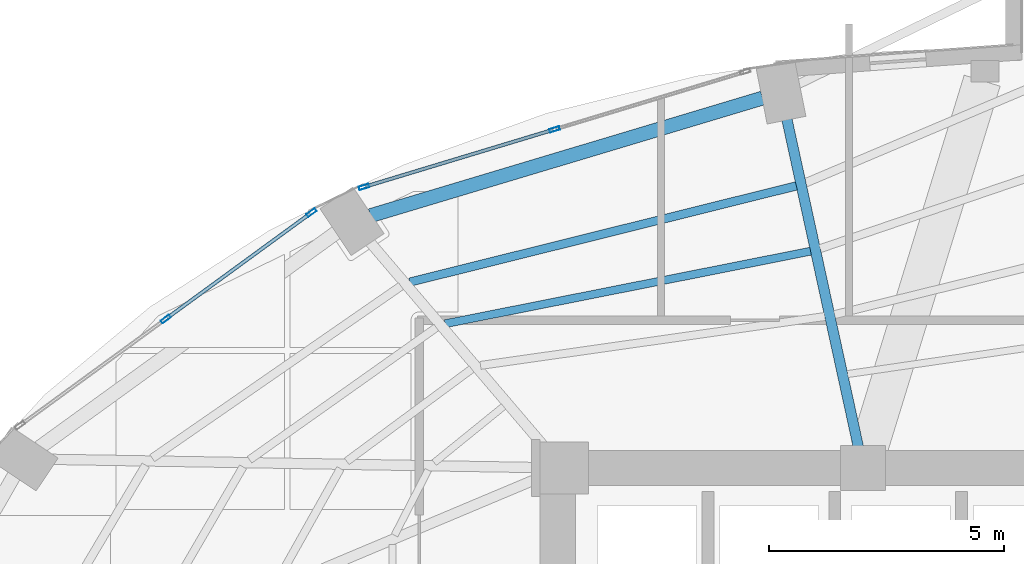
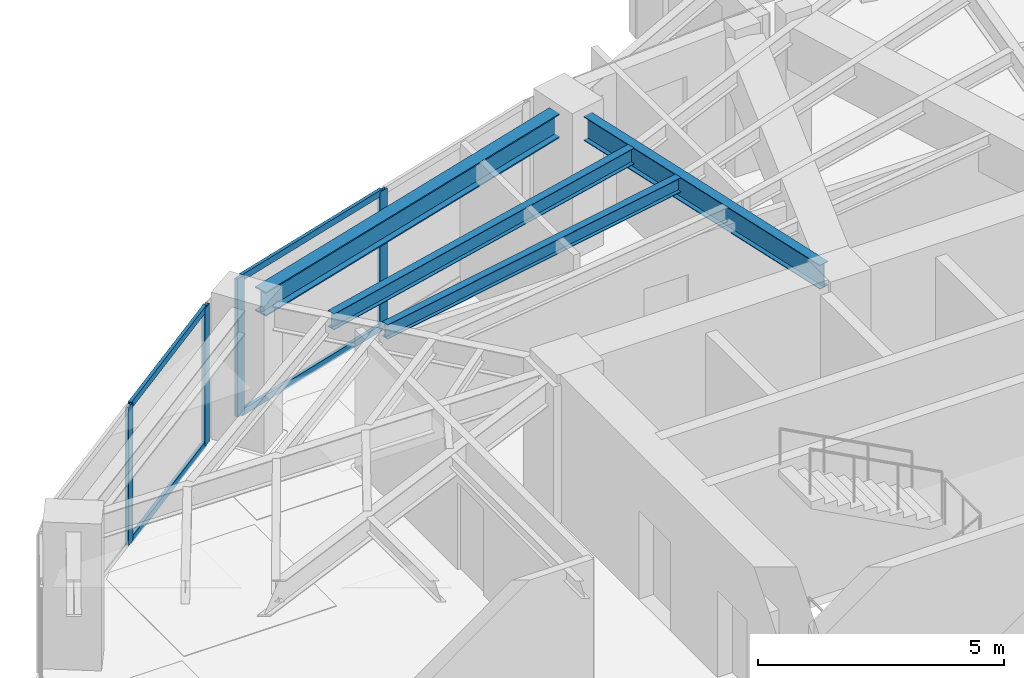
# One storey, part 14 of 23: 8 members, 4 beams, 2 elements without a shape of their own.
"""IFC4 building model written with IfcOpenShell, lengths in metres."""

from ifc_helpers import new_model, si_unit, direction, frame, origin, origin_2d, place, context, subcontext, project, spatial, hollow_rectangle, i_section, extrude, material, layer, layer_set, material_profile, profile_set, type_object, element, aggregate, save


model = new_model("IFC4")

# Units and contexts
model_context = context("Model", 3, precision=1e-05, world=origin(), true_north=direction((0.0, 1.0)))
body_context = subcontext(model_context, "Body", "Model", "MODEL_VIEW")
ifc_project = project(units=[si_unit("LENGTHUNIT", "METRE"), si_unit("AREAUNIT", "SQUARE_METRE"), si_unit("VOLUMEUNIT", "CUBIC_METRE"), si_unit("PLANEANGLEUNIT", "RADIAN"), si_unit("MASSUNIT", "GRAM", prefix="KILO")], contexts=[model_context])

# Site, building, storey
site_placement = place(None, origin())
site = spatial("IfcSite", under=ifc_project, at=site_placement, CompositionType="ELEMENT")
building_placement = place(site_placement, origin())
building = spatial("IfcBuilding", under=site, at=building_placement, Name="Lazwardi Medical Tower", CompositionType="ELEMENT")
storey_placement = place(building_placement, frame((0.0, 0.0, 121.8720703125)))
storey = spatial("IfcBuildingStorey", under=building, at=storey_placement, Name="L31", CompositionType="ELEMENT", Elevation=121.8720703125)

# Beams
ifc_material_1 = material(Name="Steel S355", Category="steel")
ifc_material_profile_1 = material_profile(ifc_material_1, i_section(OverallWidth=0.300048828125, OverallDepth=0.60009765625, WebThickness=0.015380859375, FlangeThickness=0.030029296875, at=origin_2d()), Name="HEB 600")
ifc_profile_set_1 = profile_set([ifc_material_profile_1], Name="Steel S355")
beam_type_1 = type_object("IfcBeamType", Name="BM-RB-Z2", PredefinedType="BEAM", material=ifc_profile_set_1)
beam_1_placement = place(storey_placement, frame((30.661865234375, 43.4794921875, 3.1279296875), z_axis=(-0.957879438442, -0.287170648587, 0.0), x_axis=(0.287170648587, -0.957879438442, 0.0)))
element("IfcBeam", 1, at=beam_1_placement, inside=storey, type_object=beam_type_1, Name="Ring beam RB-03 B09 L31", PredefinedType="BEAM", context=body_context, shape_type="SweptSolid", body=[
    extrude(i_section(OverallWidth=0.300048828125, OverallDepth=0.60009765625, WebThickness=0.015380859375, FlangeThickness=0.030029296875, at=origin_2d()), origin(), (0.0, 0.0, 1.0), 8.719970703125),
])
ifc_material_profile_2 = material_profile(ifc_material_1, i_section(OverallWidth=0.219970703125, OverallDepth=0.60009765625, WebThickness=0.011962890625, FlangeThickness=0.01904296875, at=origin_2d()), Name="IPE 600")
ifc_profile_set_2 = profile_set([ifc_material_profile_2], Name="Steel S355")
beam_type_2 = type_object("IfcBeamType", Name="BM-RG-W1", PredefinedType="BEAM", material=ifc_profile_set_2)
beam_2_placement = place(storey_placement, frame((31.17822265625, 43.03076171875, 3.1279296875), z_axis=(0.213228150441, -0.977002433907, 0.0), x_axis=(0.977002433907, 0.213228150441, 0.0)))
element("IfcBeam", 2, at=beam_2_placement, inside=storey, type_object=beam_type_2, Name="Radial girder RG-02 R09 L31", PredefinedType="BEAM", context=body_context, shape_type="SweptSolid", body=[
    extrude(i_section(OverallWidth=0.219970703125, OverallDepth=0.60009765625, WebThickness=0.011962890625, FlangeThickness=0.01904296875, at=origin_2d()), origin(), (0.0, 0.0, 1.0), 7.145751953125),
])
ifc_material_profile_3 = material_profile(ifc_material_1, i_section(OverallWidth=0.179931640625, OverallDepth=0.39990234375, WebThickness=0.008544921875, FlangeThickness=0.013427734375, at=origin_2d()), Name="IPE 400")
ifc_profile_set_3 = profile_set([ifc_material_profile_3], Name="Steel S355")
beam_type_3 = type_object("IfcBeamType", Name="BM-SJ-01", PredefinedType="JOIST", material=ifc_profile_set_3)
beam_3_placement = place(storey_placement, frame((31.381103515625, 41.609130859375, 3.22802734375), z_axis=(-0.970400881943, -0.241499748081, 0.0), x_axis=(0.241499748081, -0.970400881943, 0.0)))
element("IfcBeam", 3, at=beam_3_placement, inside=storey, type_object=beam_type_3, Name="Secondary joist SJ-01 R1 B09 L31", PredefinedType="JOIST", context=body_context, shape_type="SweptSolid", body=[
    extrude(i_section(OverallWidth=0.179931640625, OverallDepth=0.39990234375, WebThickness=0.008544921875, FlangeThickness=0.013427734375, at=origin_2d()), origin(), (0.0, 0.0, 1.0), 8.48583984375),
])
ifc_material_profile_4 = material_profile(ifc_material_1, i_section(OverallWidth=0.169921875, OverallDepth=0.360107421875, WebThickness=0.008056640625, FlangeThickness=0.0126953125, at=origin_2d()), Name="IPE 360")
ifc_profile_set_4 = profile_set([ifc_material_profile_4], Name="Steel S355")
beam_type_4 = type_object("IfcBeamType", Name="BM-SJ-02", PredefinedType="JOIST", material=ifc_profile_set_4)
beam_4_placement = place(storey_placement, frame((31.684814453125, 40.2177734375, 3.248046875), z_axis=(-0.980878853282, -0.194619308352, 0.0), x_axis=(0.194619308352, -0.980878853282, 0.0)))
element("IfcBeam", 4, at=beam_4_placement, inside=storey, type_object=beam_type_4, Name="Secondary joist SJ-02 R2 B09 L31", PredefinedType="JOIST", context=body_context, shape_type="SweptSolid", body=[
    extrude(i_section(OverallWidth=0.169921875, OverallDepth=0.360107421875, WebThickness=0.008056640625, FlangeThickness=0.0126953125, at=origin_2d()), origin(), (0.0, 0.0, 1.0), 7.93701171875),
])

# Curtain wall, members
ifc_material_2 = material(Name="Anodised bronze aluminium and solar control glazing", Category="aluminium")
ifc_layer = layer(ifc_material_2, 0.195068359375)
ifc_layer_set = layer_set([ifc_layer], Name="Anodised bronze aluminium and solar control glazing")
curtain_wall_type = type_object("IfcCurtainWallType", Name="CW-SYS-03", PredefinedType="NOTDEFINED", material=ifc_layer_set)
curtain_wall_1_placement = place(storey_placement, origin())
curtain_wall_1 = element("IfcCurtainWall", 5, at=curtain_wall_1_placement, inside=storey, type_object=curtain_wall_type, Name="L31 Unitised bronze curtain wall CW-03", PredefinedType="NOTDEFINED")
ifc_material_3 = material(Name="Anodised bronze aluminium", Category="aluminium")
ifc_material_profile_5 = material_profile(ifc_material_3, hollow_rectangle(XDim=0.074951171875, YDim=0.219970703125, WallThickness=0.00390625, at=origin_2d()), Name="ALU-MULLION 220x75x4")
ifc_profile_set_5 = profile_set([ifc_material_profile_5], Name="Anodised bronze aluminium")
member_type_1 = type_object("IfcMemberType", Name="CW-MUL-01", PredefinedType="MULLION", material=ifc_profile_set_5)
member_1_placement = place(storey_placement, frame((26.230712890625, 42.81298828125, 0.0), z_axis=(0.0, 0.0, 1.0), x_axis=(0.28937381157, -0.957216170558, 0.0)))
member_1 = element("IfcMember", 6, at=member_1_placement, type_object=member_type_1, Name="CW-03 mullion 2", PredefinedType="MULLION", context=body_context, shape_type="SweptSolid", body=[
    extrude(hollow_rectangle(XDim=0.074951171875, YDim=0.219970703125, WallThickness=0.00390625, at=origin_2d()), origin(), (0.0, 0.0, 1.0), 3.427978515625),
])
member_2_placement = place(storey_placement, frame((22.171630859375, 41.5859375, 0.0), z_axis=(0.0, 0.0, 1.0), x_axis=(0.28937381157, -0.957216170558, 0.0)))
member_2 = element("IfcMember", 7, at=member_2_placement, type_object=member_type_1, Name="CW-03 mullion 3", PredefinedType="MULLION", context=body_context, shape_type="SweptSolid", body=[
    extrude(hollow_rectangle(XDim=0.074951171875, YDim=0.219970703125, WallThickness=0.00390625, at=origin_2d()), origin(), (0.0, 0.0, 1.0), 3.427978515625),
])

curtain_wall_2_placement = place(storey_placement, origin())
curtain_wall_2 = element("IfcCurtainWall", 8, at=curtain_wall_2_placement, inside=storey, type_object=curtain_wall_type, Name="L31 Unitised bronze curtain wall CW-03", PredefinedType="NOTDEFINED")
member_3_placement = place(storey_placement, frame((21.052734375, 41.03955078125, 0.0), z_axis=(0.0, 0.0, 1.0), x_axis=(0.589530882802, -0.807745837639, 0.0)))
member_3 = element("IfcMember", 9, at=member_3_placement, type_object=member_type_1, Name="CW-03 mullion 1", PredefinedType="MULLION", context=body_context, shape_type="SweptSolid", body=[
    extrude(hollow_rectangle(XDim=0.074951171875, YDim=0.219970703125, WallThickness=0.00390625, at=origin_2d()), origin(), (0.0, 0.0, 1.0), 3.427978515625),
])
member_4_placement = place(storey_placement, frame((17.948974609375, 38.774169921875, 0.0), z_axis=(0.0, 0.0, 1.0), x_axis=(0.589530882802, -0.807745837639, 0.0)))
member_4 = element("IfcMember", 10, at=member_4_placement, type_object=member_type_1, Name="CW-03 mullion 2", PredefinedType="MULLION", context=body_context, shape_type="SweptSolid", body=[
    extrude(hollow_rectangle(XDim=0.074951171875, YDim=0.219970703125, WallThickness=0.00390625, at=origin_2d()), origin(), (0.0, 0.0, 1.0), 3.427978515625),
])

# Member
ifc_material_profile_6 = material_profile(ifc_material_3, hollow_rectangle(XDim=0.074951171875, YDim=0.159912109375, WallThickness=0.00390625, at=origin_2d()), Name="ALU-TRANSOM 160x75x4")
ifc_profile_set_6 = profile_set([ifc_material_profile_6], Name="Anodised bronze aluminium")
member_type_2 = type_object("IfcMemberType", Name="CW-TRN-01", PredefinedType="USERDEFINED", material=ifc_profile_set_6)
member_5_placement = place(storey_placement, frame((26.19482421875, 42.80224609375, 0.037353515625), z_axis=(-0.957220865985, -0.289358279168, 0.0), x_axis=(0.289358279168, -0.957220865985, 0.0)))
member_5 = element("IfcMember", 11, at=member_5_placement, type_object=member_type_2, Name="CW-03 transom 2.1", ObjectType="TRANSOM", PredefinedType="USERDEFINED", context=body_context, shape_type="SweptSolid", body=[
    extrude(hollow_rectangle(XDim=0.074951171875, YDim=0.159912109375, WallThickness=0.00390625, at=origin_2d()), origin(), (0.0, 0.0, 1.0), 4.16552734375),
])

member_6_placement = place(storey_placement, frame((26.19482421875, 42.80224609375, 3.390380859375), z_axis=(-0.957220865985, -0.289358279168, 0.0), x_axis=(0.289358279168, -0.957220865985, 0.0)))
member_6 = element("IfcMember", 12, at=member_6_placement, type_object=member_type_2, Name="CW-03 transom 2.2", ObjectType="TRANSOM", PredefinedType="USERDEFINED", context=body_context, shape_type="SweptSolid", body=[
    extrude(hollow_rectangle(XDim=0.074951171875, YDim=0.159912109375, WallThickness=0.00390625, at=origin_2d()), origin(), (0.0, 0.0, 1.0), 4.16552734375),
])

aggregate(curtain_wall_1, [member_1, member_2, member_5, member_6])

member_7_placement = place(storey_placement, frame((21.0224609375, 41.017578125, 0.037353515625), z_axis=(-0.807731734271, -0.589550206049, 0.0), x_axis=(0.589550206049, -0.807731734271, 0.0)))
member_7 = element("IfcMember", 13, at=member_7_placement, type_object=member_type_2, Name="CW-03 transom 1.1", ObjectType="TRANSOM", PredefinedType="USERDEFINED", context=body_context, shape_type="SweptSolid", body=[
    extrude(hollow_rectangle(XDim=0.074951171875, YDim=0.159912109375, WallThickness=0.00390625, at=origin_2d()), origin(), (0.0, 0.0, 1.0), 3.767578125),
])

member_8_placement = place(storey_placement, frame((21.0224609375, 41.017578125, 3.390380859375), z_axis=(-0.807731734271, -0.589550206049, 0.0), x_axis=(0.589550206049, -0.807731734271, 0.0)))
member_8 = element("IfcMember", 14, at=member_8_placement, type_object=member_type_2, Name="CW-03 transom 1.2", ObjectType="TRANSOM", PredefinedType="USERDEFINED", context=body_context, shape_type="SweptSolid", body=[
    extrude(hollow_rectangle(XDim=0.074951171875, YDim=0.159912109375, WallThickness=0.00390625, at=origin_2d()), origin(), (0.0, 0.0, 1.0), 3.767578125),
])

aggregate(curtain_wall_2, [member_3, member_4, member_7, member_8])

save(model, "model.ifc")
